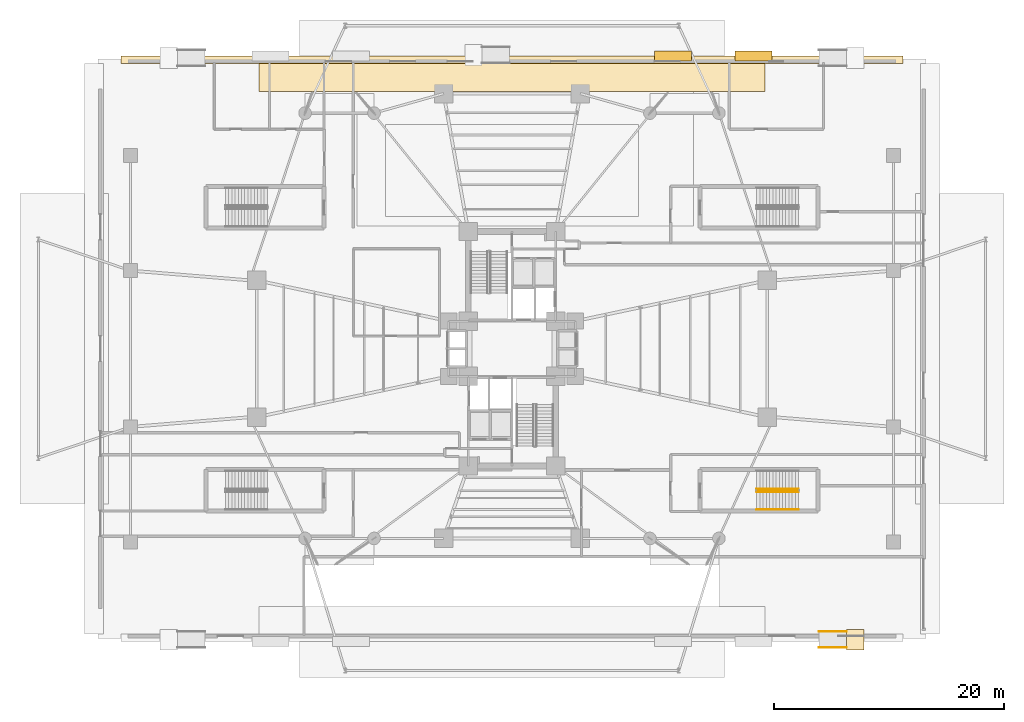
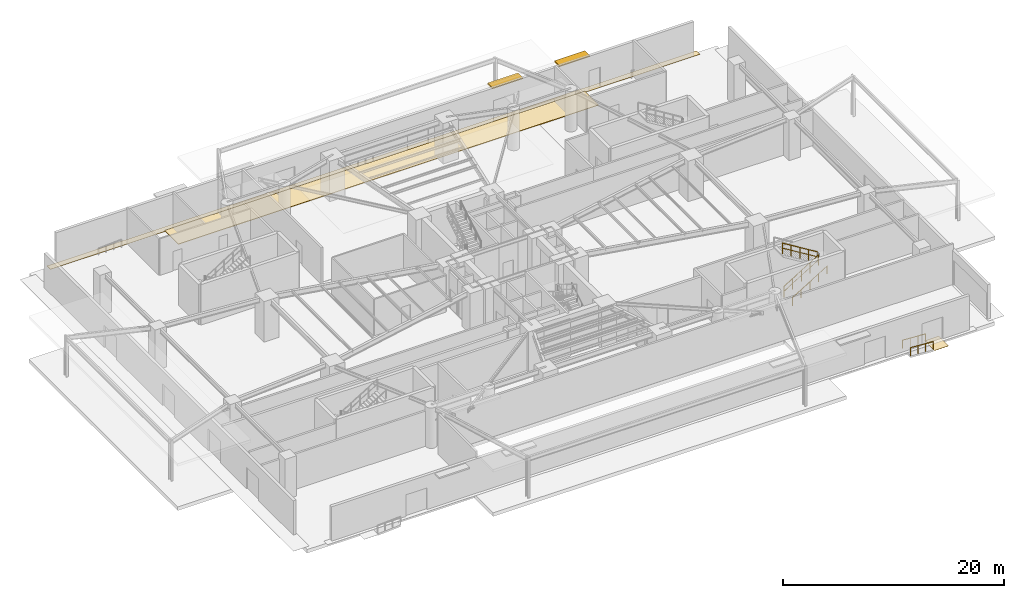
# One storey, part 27 of 31: 5 railings, 3 coverings, 2 shading devices.
"""IFC4 building model written with IfcOpenShell, lengths in metres."""

from ifc_helpers import new_model, si_unit, direction, frame, origin, origin_2d, place, context, subcontext, project, spatial, polyline, rectangle, circle, outline, extrude, source, transform, mapped, material, layer, layer_set, type_object, element, save


model = new_model("IFC4")

# Units and contexts
model_context = context("Model", 3, precision=1e-05, world=origin(), true_north=direction((0.0, 1.0)))
body_context = subcontext(model_context, "Body", "Model", "MODEL_VIEW")
ifc_project = project(units=[si_unit("LENGTHUNIT", "METRE"), si_unit("AREAUNIT", "SQUARE_METRE"), si_unit("VOLUMEUNIT", "CUBIC_METRE"), si_unit("PLANEANGLEUNIT", "RADIAN"), si_unit("MASSUNIT", "GRAM", prefix="KILO")], contexts=[model_context])

# Site, building, storey
site_placement = place(None, origin())
site = spatial("IfcSite", under=ifc_project, at=site_placement, CompositionType="ELEMENT")
building_placement = place(site_placement, origin())
building = spatial("IfcBuilding", under=site, at=building_placement, Name="Sahyath Konkavel Grand Hotel", CompositionType="ELEMENT")
storey_placement = place(building_placement, origin())
storey = spatial("IfcBuildingStorey", under=building, at=storey_placement, Name="L00", CompositionType="ELEMENT", Elevation=0.0)

# Coverings
ifc_material_1 = material(Name="Honed Deccan Basalt and Warm Sandstone Flooring", Category="masonry")
ifc_layer_1 = layer(ifc_material_1, 0.02001953125)
ifc_layer_set_1 = layer_set([ifc_layer_1], Name="Honed Deccan Basalt and Warm Sandstone Flooring")
covering_type_1 = type_object("IfcCoveringType", Name="COV-STONE-FLR", PredefinedType="FLOORING", material=ifc_layer_set_1)
covering_1_placement = place(storey_placement, frame((0.0, 0.0, -0.02001953125)))
element("IfcCovering", 1, at=covering_1_placement, inside=storey, type_object=covering_type_1, Name="L00 Exterior Sandstone Exit Apron North-Threshold", PredefinedType="FLOORING", context=body_context, shape_type="SweptSolid", body=[
    extrude(outline(polyline([(-34.0, 24.800048828125), (34.0, 24.800048828125), (34.0, 25.449951171875), (-34.0, 25.449951171875), (-34.0, 24.800048828125)])), origin(), (0.0, 0.0, 1.0), 0.02001953125),
])
covering_2_placement = place(storey_placement, frame((0.0, 0.0, -0.169921875)))
element("IfcCovering", 2, at=covering_2_placement, inside=storey, type_object=covering_type_1, Name="L00 Street Walkway Landing PR-4", PredefinedType="FLOORING", context=body_context, shape_type="SweptSolid", body=[
    extrude(outline(polyline([(29.10009765625, -26.199951171875), (30.60009765625, -26.199951171875), (30.60009765625, -24.39990234375), (29.10009765625, -24.39990234375), (29.10009765625, -26.199951171875)])), origin(), (0.0, 0.0, 1.0), 0.02001953125),
])

# Railings
ifc_material_2 = material(Name="Steel E350", Category="steel")
railing_type_1 = type_object("IfcRailingType", Name="RLG-STAIR-GRD", PredefinedType="GUARDRAIL", material=ifc_material_2)
railing_1_placement = place(storey_placement, frame((21.2900390625, -12.43994140625, 0.17138671875)))
element("IfcRailing", 3, at=railing_1_placement, inside=storey, type_object=railing_type_1, Name="L00 ST-P4 stair guard 1", PredefinedType="GUARDRAIL", context=body_context, shape_type="SweptSolid", body=[
    extrude(circle(Radius=0.02392578125, at=origin_2d()), frame((0.001708984375, 0.0, 1.177001953125), z_axis=(0.852850264322, 0.0, 0.5221555579), x_axis=(0.0, 1.0, 0.0)), (0.0, 0.0, 1.0), 4.263916015625),
    extrude(circle(Radius=0.01416015625, at=origin_2d()), frame((0.001708984375, 0.0, 0.625), z_axis=(0.852850264322, 0.0, 0.5221555579), x_axis=(0.0, 1.0, 0.0)), (0.0, 0.0, 1.0), 4.263916015625),
    extrude(circle(Radius=0.02099609375, at=origin_2d()), origin(), (0.0, 0.0, 1.0), 1.15185546875),
    extrude(circle(Radius=0.02099609375, at=origin_2d()), frame((0.909912109375, 0.0, 0.55712890625)), (0.0, 0.0, 1.0), 1.15185546875),
    extrude(circle(Radius=0.02099609375, at=origin_2d()), frame((1.81982421875, 0.0, 1.1142578125)), (0.0, 0.0, 1.0), 1.15185546875),
    extrude(circle(Radius=0.02099609375, at=origin_2d()), frame((2.72998046875, 0.0, 1.67138671875)), (0.0, 0.0, 1.0), 1.15185546875),
    extrude(circle(Radius=0.02099609375, at=origin_2d()), frame((3.639892578125, 0.0, 2.228515625)), (0.0, 0.0, 1.0), 1.15185546875),
])
railing_2_placement = place(storey_placement, frame((24.929931640625, -12.179931640625, 2.571533203125)))
element("IfcRailing", 4, at=railing_2_placement, inside=storey, type_object=railing_type_1, Name="L00 ST-P4 stair guard 3", PredefinedType="GUARDRAIL", context=body_context, shape_type="SweptSolid", body=[
    extrude(circle(Radius=0.02392578125, at=origin_2d()), frame((-0.001708984375, 0.0, 1.177001953125), z_axis=(-0.852850264322, 0.0, 0.5221555579), x_axis=(0.0, -1.0, 0.0)), (0.0, 0.0, 1.0), 4.263916015625),
    extrude(circle(Radius=0.01416015625, at=origin_2d()), frame((-0.001708984375, 0.0, 0.625), z_axis=(-0.852850264322, 0.0, 0.5221555579), x_axis=(0.0, -1.0, 0.0)), (0.0, 0.0, 1.0), 4.263916015625),
    extrude(circle(Radius=0.02099609375, at=origin_2d()), origin(), (0.0, 0.0, 1.0), 1.15185546875),
    extrude(circle(Radius=0.02099609375, at=origin_2d()), frame((-0.909912109375, 0.0, 0.55712890625)), (0.0, 0.0, 1.0), 1.15185546875),
    extrude(circle(Radius=0.02099609375, at=origin_2d()), frame((-1.81982421875, 0.0, 1.1142578125)), (0.0, 0.0, 1.0), 1.15185546875),
    extrude(circle(Radius=0.02099609375, at=origin_2d()), frame((-2.72998046875, 0.0, 1.67138671875)), (0.0, 0.0, 1.0), 1.15185546875),
    extrude(circle(Radius=0.02099609375, at=origin_2d()), frame((-3.639892578125, 0.0, 2.228515625)), (0.0, 0.0, 1.0), 1.15185546875),
])
ifc_material_3 = material(Name="Anodised Bronze Aluminium", Category="aluminium")
railing_type_2 = type_object("IfcRailingType", Name="RLG-STAIR-HND", PredefinedType="HANDRAIL", material=ifc_material_3)
railing_3_placement = place(storey_placement, frame((21.2900390625, -13.989990234375, 0.17138671875)))
element("IfcRailing", 5, at=railing_3_placement, inside=storey, type_object=railing_type_2, Name="L00 ST-P4 stair handrail 1", PredefinedType="HANDRAIL", context=body_context, shape_type="SweptSolid", body=[
    extrude(circle(Radius=0.02392578125, at=origin_2d()), frame((0.001708984375, 0.0, 0.876953125), z_axis=(0.852850264322, 0.0, 0.5221555579), x_axis=(0.0, 1.0, 0.0)), (0.0, 0.0, 1.0), 4.263916015625),
    extrude(circle(Radius=0.02099609375, at=origin_2d()), origin(), (0.0, 0.0, 1.0), 0.851806640625),
    extrude(circle(Radius=0.02099609375, at=origin_2d()), frame((0.909912109375, 0.0, 0.55712890625)), (0.0, 0.0, 1.0), 0.851806640625),
    extrude(circle(Radius=0.02099609375, at=origin_2d()), frame((1.81982421875, 0.0, 1.1142578125)), (0.0, 0.0, 1.0), 0.851806640625),
    extrude(circle(Radius=0.02099609375, at=origin_2d()), frame((2.72998046875, 0.0, 1.67138671875)), (0.0, 0.0, 1.0), 0.851806640625),
    extrude(circle(Radius=0.02099609375, at=origin_2d()), frame((3.639892578125, 0.0, 2.228515625)), (0.0, 0.0, 1.0), 0.851806640625),
])
for number, where, name in (
    (6, (29.10009765625, -24.60009765625, -0.14990234375), "Accessible Ramp Handrail PR-4-L"),
    (7, (29.10009765625, -26.0, -0.14990234375), "Accessible Ramp Handrail PR-4-R"),
):
    element("IfcRailing", number, at=place(storey_placement, frame(where)), inside=storey, type_object=railing_type_2, Name=name, PredefinedType="HANDRAIL", context=body_context, shape_type="SweptSolid", body=[
        extrude(circle(Radius=0.02392578125, at=origin_2d()), frame((-0.001953125, 0.0, 0.8759765625), z_axis=(-0.998055342672, 0.0, 0.062334043373), x_axis=(0.0, -1.0, 0.0)), (0.0, 0.0, 1.0), 2.40087890625),
        extrude(circle(Radius=0.02099609375, at=origin_2d()), origin(), (0.0, 0.0, 1.0), 0.851806640625),
        extrude(circle(Radius=0.02099609375, at=origin_2d()), frame((-0.800048828125, 0.0, 0.050048828125)), (0.0, 0.0, 1.0), 0.851806640625),
        extrude(circle(Radius=0.02099609375, at=origin_2d()), frame((-1.60009765625, 0.0, 0.099853515625)), (0.0, 0.0, 1.0), 0.851806640625),
        extrude(circle(Radius=0.02099609375, at=origin_2d()), frame((-2.400146484375, 0.0, 0.14990234375)), (0.0, 0.0, 1.0), 0.851806640625),
    ])

# Covering
ifc_material_4 = material(Name="Warm Buff Sandstone Paving", Category="masonry")
ifc_layer_2 = layer(ifc_material_4, 0.06005859375)
ifc_layer_set_2 = layer_set([ifc_layer_2], Name="Warm Buff Sandstone Paving")
covering_type_2 = type_object("IfcCoveringType", Name="SLB-PLAZA-PAVING", PredefinedType="FLOORING", material=ifc_layer_set_2)
covering_3_placement = place(storey_placement, origin())
element("IfcCovering", 8, at=covering_3_placement, inside=storey, type_object=covering_type_2, Name="Station Forecourt Sandstone Plaza North-Forecourt", PredefinedType="FLOORING", context=body_context, shape_type="SweptSolid", body=[
    extrude(outline(polyline([(-22.0, 22.39990234375), (22.0, 22.39990234375), (22.0, 24.89990234375), (-22.0, 24.89990234375), (-22.0, 22.39990234375)])), origin(), (0.0, 0.0, 1.0), 0.06005859375),
])

# Shading devices
ifc_material_5 = material(Name="Warm Buff Sandstone Cladding", Category="masonry")
ifc_layer_3 = layer(ifc_material_5, 0.139892578125)
ifc_layer_set_3 = layer_set([ifc_layer_3], Name="Warm Buff Sandstone Cladding")
shading_device_type = type_object("IfcShadingDeviceType", Name="SHD-STONE-BROW", PredefinedType="AWNING", material=ifc_layer_set_3)
shared_shape = source(origin(), body_context, "Body", "SweptSolid", [
    extrude(rectangle(XDim=3.199951171875, YDim=0.89990234375, at=origin_2d()), origin(), (0.0, 0.0, 1.0), 0.139892578125),
])
for number, where, z_axis, x_axis, name in (
    (9, (14.0, 25.469970703125, 3.580078125), (0.0, 0.0, 1.0), (1.0, 0.0, 0.0), "L00 Sandstone Solar Overhang 3-N"),
    (10, (21.0, 25.469970703125, 3.580078125), (0.0, 0.0, 1.0), (1.0, 0.0, 0.0), "L00 Sandstone Solar Overhang 4-N"),
):
    element("IfcShadingDevice", number, at=place(storey_placement, frame(where, z_axis=z_axis, x_axis=x_axis)), inside=storey, type_object=shading_device_type, Name=name, PredefinedType="AWNING", context=body_context, shape_type="MappedRepresentation", body=[
        mapped(shared_shape, transform((0.0, 0.0, 0.0), scale=1.0)),
    ])

save(model, "model.ifc")
